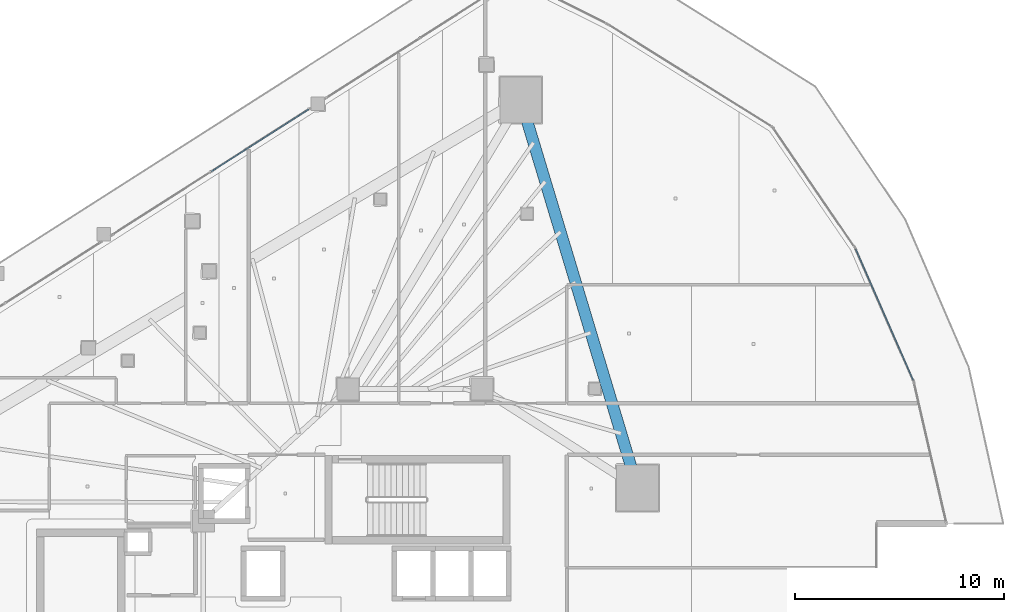
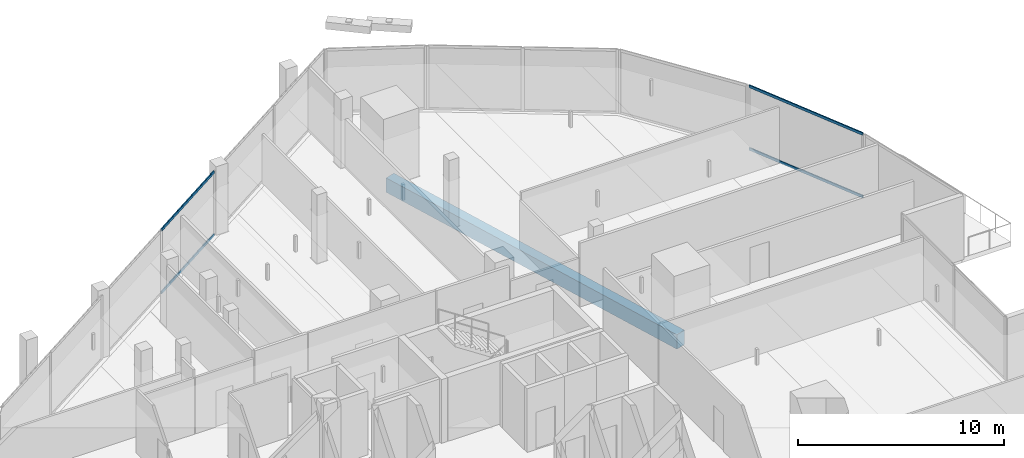
# One storey, part 21 of 45: 4 members, 1 beam, 2 elements without a shape of their own.
"""IFC4 building model written with IfcOpenShell, lengths in metres."""

from ifc_helpers import new_model, si_unit, direction, frame, origin, origin_2d, place, context, subcontext, project, spatial, rectangle, hollow_rectangle, extrude, material, layer, layer_set, material_profile, profile_set, type_object, element, aggregate, save


model = new_model("IFC4")

# Units and contexts
model_context = context("Model", 3, precision=1e-05, world=origin(), true_north=direction((0.0, 1.0)))
body_context = subcontext(model_context, "Body", "Model", "MODEL_VIEW")
ifc_project = project(units=[si_unit("LENGTHUNIT", "METRE"), si_unit("AREAUNIT", "SQUARE_METRE"), si_unit("VOLUMEUNIT", "CUBIC_METRE"), si_unit("PLANEANGLEUNIT", "RADIAN"), si_unit("MASSUNIT", "GRAM", prefix="KILO")], contexts=[model_context])

# Site, building, storey
site_placement = place(None, origin())
site = spatial("IfcSite", under=ifc_project, at=site_placement, CompositionType="ELEMENT")
building_placement = place(site_placement, origin())
building = spatial("IfcBuilding", under=site, at=building_placement, Name="Qorvath Tower", CompositionType="ELEMENT")
storey_placement = place(building_placement, frame((0.0, 0.0, 109.800048828125)))
storey = spatial("IfcBuildingStorey", under=building, at=storey_placement, Name="L24", CompositionType="ELEMENT", Elevation=109.800048828125)

# Beam
ifc_material_1 = material(Name="Concrete C50/60", Category="concrete")
ifc_material_profile_1 = material_profile(ifc_material_1, rectangle(XDim=0.550048828125, YDim=0.85009765625, at=origin_2d()), Name="RCB 850x550")
ifc_profile_set_1 = profile_set([ifc_material_profile_1], Name="Concrete C50/60")
beam_type = type_object("IfcBeamType", Name="BM-RCB2", PredefinedType="SPANDREL", material=ifc_profile_set_1)
beam_placement = place(storey_placement, frame((-9.770263671875, 6.721435546875, -0.705078125), z_axis=(-0.288133952099, 0.957590113591, 0.0), x_axis=(-0.957590113591, -0.288133952099, 0.0)))
element("IfcBeam", 1, at=beam_placement, inside=storey, type_object=beam_type, Name="Perimeter Loggia Frame Beam MC5-MC6 L24", PredefinedType="SPANDREL", context=body_context, shape_type="SweptSolid", body=[
    extrude(rectangle(XDim=0.550048828125, YDim=0.85009765625, at=origin_2d()), origin(), (0.0, 0.0, 1.0), 19.344970703125),
])

# Curtain wall, members
ifc_material_2 = material(Name="Anodised aluminium and triple low-E glass", Category="aluminium")
ifc_layer = layer(ifc_material_2, 0.179931640625)
ifc_layer_set = layer_set([ifc_layer], Name="CW-SYS-2")
curtain_wall_type = type_object("IfcCurtainWallType", Name="CW-SYS-2", PredefinedType="NOTDEFINED", material=ifc_layer_set)
curtain_wall_1_placement = place(storey_placement, origin())
curtain_wall_1 = element("IfcCurtainWall", 2, at=curtain_wall_1_placement, inside=storey, type_object=curtain_wall_type, Name="Curtain Wall CW-2 CW-T-L24-12.1", PredefinedType="NOTDEFINED")
ifc_material_3 = material(Name="Anodised aluminium 6063-T6", Category="aluminium")
ifc_material_profile_2 = material_profile(ifc_material_3, hollow_rectangle(XDim=0.06494140625, YDim=0.159912109375, WallThickness=0.00341796875, InnerFilletRadius=0.00341796875, OuterFilletRadius=0.007080078125, at=origin_2d()), Name="CWT 160x65")
ifc_profile_set_2 = profile_set([ifc_material_profile_2], Name="Anodised aluminium 6063-T6")
member_type = type_object("IfcMemberType", Name="CWT-160", PredefinedType="USERDEFINED", material=ifc_profile_set_2)
member_1_placement = place(storey_placement, frame((3.394287109375, 11.859375, 0.032470703125), z_axis=(-0.401584791329, 0.915821846962, 0.0), x_axis=(-0.915821846962, -0.401584791329, 0.0)))
member_1 = element("IfcMember", 3, at=member_1_placement, type_object=member_type, Name="CW-2 transom 1.1", ObjectType="TRANSOM", PredefinedType="USERDEFINED", context=body_context, shape_type="SweptSolid", body=[
    extrude(hollow_rectangle(XDim=0.06494140625, YDim=0.159912109375, WallThickness=0.00341796875, InnerFilletRadius=0.00341796875, OuterFilletRadius=0.007080078125, at=origin_2d()), origin(), (0.0, 0.0, 1.0), 6.837646484375),
])
member_2_placement = place(storey_placement, frame((3.394287109375, 11.859375, 3.737548828125), z_axis=(-0.401584791329, 0.915821846962, 0.0), x_axis=(-0.915821846962, -0.401584791329, 0.0)))
member_2 = element("IfcMember", 4, at=member_2_placement, type_object=member_type, Name="CW-2 transom 1.2", ObjectType="TRANSOM", PredefinedType="USERDEFINED", context=body_context, shape_type="SweptSolid", body=[
    extrude(hollow_rectangle(XDim=0.06494140625, YDim=0.159912109375, WallThickness=0.00341796875, InnerFilletRadius=0.00341796875, OuterFilletRadius=0.007080078125, at=origin_2d()), origin(), (0.0, 0.0, 1.0), 6.837646484375),
])
aggregate(curtain_wall_1, [member_1, member_2])

curtain_wall_2_placement = place(storey_placement, origin())
curtain_wall_2 = element("IfcCurtainWall", 5, at=curtain_wall_2_placement, inside=storey, type_object=curtain_wall_type, Name="Curtain Wall CW-2 CW-T-L24-16.2", PredefinedType="NOTDEFINED")
member_3_placement = place(storey_placement, frame((-25.46240234375, 24.802490234375, 0.032470703125), z_axis=(-0.84259710634, -0.538544442351, 0.0), x_axis=(0.538544442351, -0.84259710634, 0.0)))
member_3 = element("IfcMember", 6, at=member_3_placement, type_object=member_type, Name="CW-2 transom 1.1", ObjectType="TRANSOM", PredefinedType="USERDEFINED", context=body_context, shape_type="SweptSolid", body=[
    extrude(hollow_rectangle(XDim=0.06494140625, YDim=0.159912109375, WallThickness=0.00341796875, InnerFilletRadius=0.00341796875, OuterFilletRadius=0.007080078125, at=origin_2d()), origin(), (0.0, 0.0, 1.0), 5.5244140625),
])
member_4_placement = place(storey_placement, frame((-25.46240234375, 24.802490234375, 3.737548828125), z_axis=(-0.84259710634, -0.538544442351, 0.0), x_axis=(0.538544442351, -0.84259710634, 0.0)))
member_4 = element("IfcMember", 7, at=member_4_placement, type_object=member_type, Name="CW-2 transom 1.2", ObjectType="TRANSOM", PredefinedType="USERDEFINED", context=body_context, shape_type="SweptSolid", body=[
    extrude(hollow_rectangle(XDim=0.06494140625, YDim=0.159912109375, WallThickness=0.00341796875, InnerFilletRadius=0.00341796875, OuterFilletRadius=0.007080078125, at=origin_2d()), origin(), (0.0, 0.0, 1.0), 5.5244140625),
])
aggregate(curtain_wall_2, [member_3, member_4])

save(model, "model.ifc")
